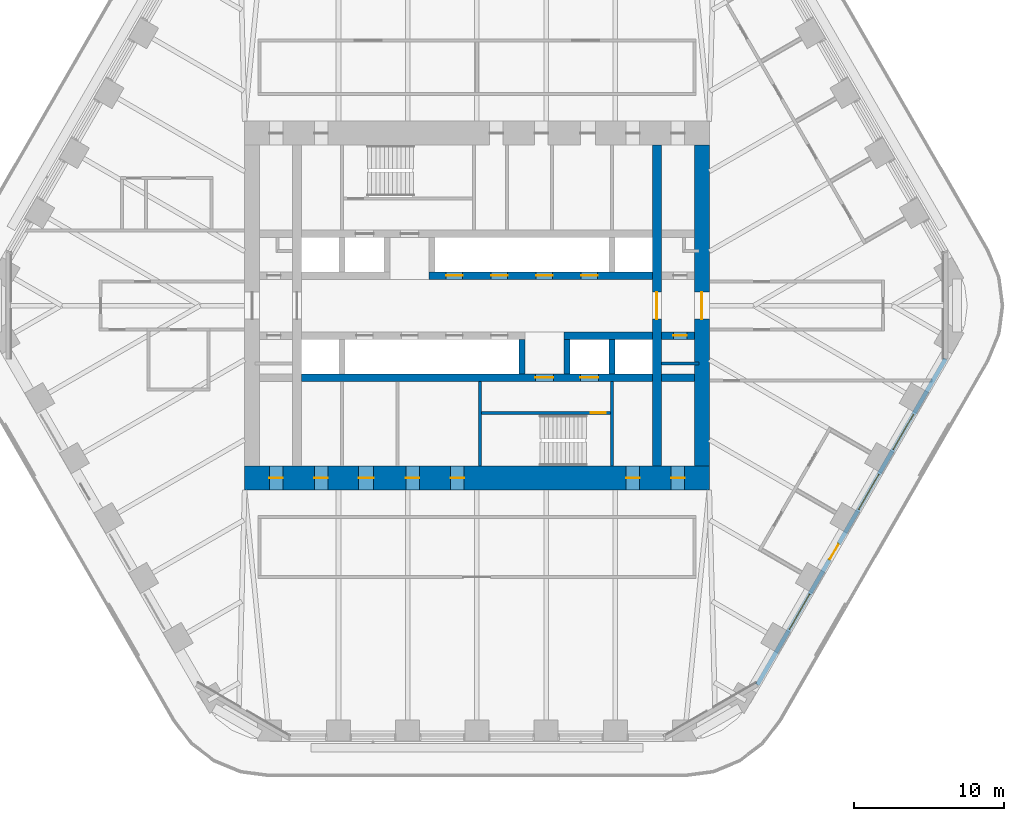
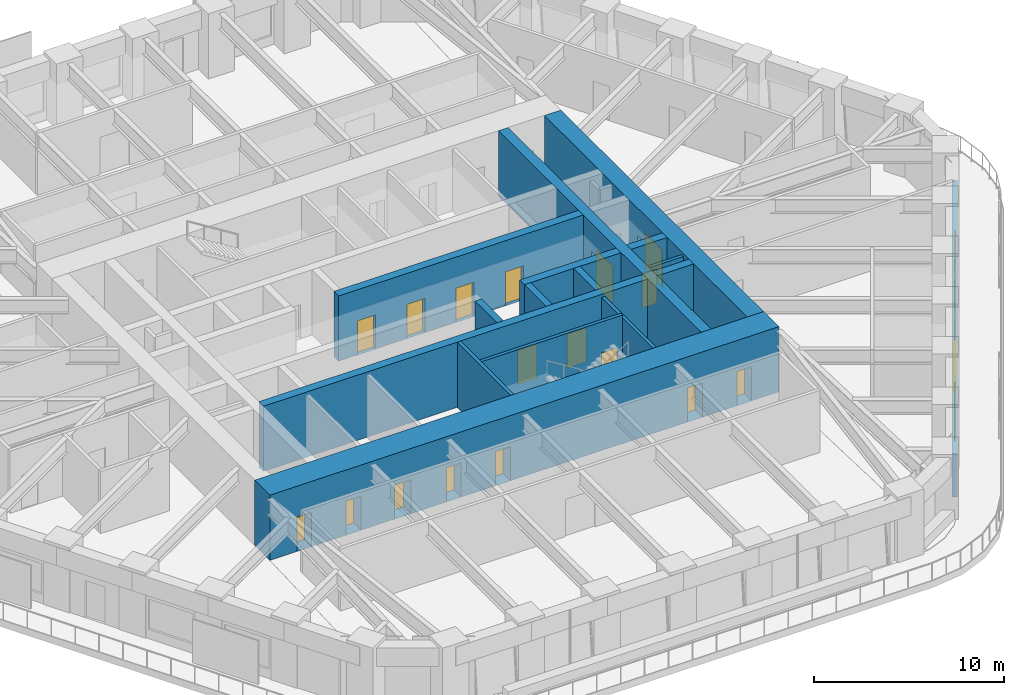
# One storey, part 15 of 20: 18 doors, 16 walls, 3 windows, 21 openings.
"""IFC4 building model written with IfcOpenShell, lengths in metres."""

from ifc_helpers import new_model, si_unit, direction, frame, frame_2d, origin, place, context, subcontext, project, spatial, rectangle, extrude, material, layer, layer_set, type_object, element, fill, save


model = new_model("IFC4")

# Units and contexts
model_context = context("Model", 3, precision=1e-05, world=origin(), true_north=direction((0.0, 1.0)))
body_context = subcontext(model_context, "Body", "Model", "MODEL_VIEW")
ifc_project = project(units=[si_unit("LENGTHUNIT", "METRE"), si_unit("AREAUNIT", "SQUARE_METRE"), si_unit("VOLUMEUNIT", "CUBIC_METRE"), si_unit("PLANEANGLEUNIT", "RADIAN"), si_unit("MASSUNIT", "GRAM", prefix="KILO")], contexts=[model_context])

# Site, building, storey
site_placement = place(None, origin())
site = spatial("IfcSite", under=ifc_project, at=site_placement, CompositionType="ELEMENT")
building_placement = place(site_placement, origin())
building = spatial("IfcBuilding", under=site, at=building_placement, Name="Tarfa Lantern Tower", CompositionType="ELEMENT")
storey_placement = place(building_placement, frame((0.0, 0.0, 232.300048828125)))
storey = spatial("IfcBuildingStorey", under=building, at=storey_placement, Name="L52", CompositionType="ELEMENT", Elevation=232.300048828125)

# Wall, openings, door, windows
ifc_material_1 = material(Name="Limestone cladding on blockwork", Category="masonry")
ifc_layer_1 = layer(ifc_material_1, 0.300048828125)
ifc_layer_set_1 = layer_set([ifc_layer_1], Name="EW1 STONE-CLAD WALL 300")
wall_type_1 = type_object("IfcWallType", Name="EW1 STONE-CLAD WALL 300", PredefinedType="SOLIDWALL", material=ifc_layer_set_1)
wall_1_placement = place(storey_placement, frame((18.70654296875, -25.299072265625, 0.0), z_axis=(0.0, 0.0, 1.0), x_axis=(0.500000442367, 0.866025148383, 0.0)))
wall_1 = element("IfcWall", 1, at=wall_1_placement, inside=storey, type_object=wall_type_1, Name="Stone wall SE", PredefinedType="SOLIDWALL", context=body_context, shape_type="SweptSolid", body=[
    extrude(rectangle(XDim=25.11279296875, YDim=0.300048828125, at=frame_2d((12.556396484375, 0.0))), origin(), (0.0, 0.0, 1.0), 2.800048828125),
])
opening_1_placement = place(wall_1_placement, frame((4.2783203125, 0.0, 0.60009765625)))
opening_1 = element("IfcOpeningElement", 2, at=opening_1_placement, cuts=wall_1, Name="Opening W14", PredefinedType="OPENING", context=body_context, shape_type="SweptSolid", body=[
    extrude(rectangle(XDim=2.699951171875, YDim=1.949951171875, at=frame_2d((1.35009765625, 0.97509765625))), frame((0.0, 0.159912109375, 0.0), z_axis=(0.0, -1.0, 0.0), x_axis=(1.0, 0.0, 0.0)), (0.0, 0.0, 1.0), 0.320068359375),
])
opening_2_placement = place(wall_1_placement, frame((9.64697265625, 0.0, 0.0)))
opening_2 = element("IfcOpeningElement", 3, at=opening_2_placement, cuts=wall_1, Name="Opening D48", PredefinedType="OPENING", context=body_context, shape_type="SweptSolid", body=[
    extrude(rectangle(XDim=1.199951171875, YDim=2.39990234375, at=frame_2d((0.60009765625, 1.199951171875))), frame((0.0, 0.159912109375, 0.0), z_axis=(0.0, -1.0, 0.0), x_axis=(1.0, 0.0, 0.0)), (0.0, 0.0, 1.0), 0.320068359375),
])
opening_3_placement = place(wall_1_placement, frame((13.515869140625, 0.0, 0.60009765625)))
opening_3 = element("IfcOpeningElement", 4, at=opening_3_placement, cuts=wall_1, Name="Opening W14", PredefinedType="OPENING", context=body_context, shape_type="SweptSolid", body=[
    extrude(rectangle(XDim=2.699951171875, YDim=1.949951171875, at=frame_2d((1.35009765625, 0.97509765625))), frame((0.0, 0.159912109375, 0.0), z_axis=(0.0, -1.0, 0.0), x_axis=(1.0, 0.0, 0.0)), (0.0, 0.0, 1.0), 0.320068359375),
])
opening_4_placement = place(wall_1_placement, frame((18.134521484375, 0.0, 0.60009765625)))
opening_4 = element("IfcOpeningElement", 5, at=opening_4_placement, cuts=wall_1, Name="Opening W14", PredefinedType="OPENING", context=body_context, shape_type="SweptSolid", body=[
    extrude(rectangle(XDim=2.699951171875, YDim=1.949951171875, at=frame_2d((1.35009765625, 0.97509765625))), frame((0.0, 0.159912109375, 0.0), z_axis=(0.0, -1.0, 0.0), x_axis=(1.0, 0.0, 0.0)), (0.0, 0.0, 1.0), 0.320068359375),
])
ifc_material_2 = material(Name="Aluminium framed glazed door", Category="aluminium")
door_type_1 = type_object("IfcDoorType", Name="BE3 BALCONY DOOR 1200x2400", OperationType="SINGLE_SWING_RIGHT", PredefinedType="DOOR", material=ifc_material_2)
door_1_placement = place(opening_2_placement, origin())
door_1 = element("IfcDoor", 6, at=door_1_placement, inside=storey, type_object=door_type_1, Name="Balcony door SE", OperationType="SINGLE_SWING_RIGHT", OverallHeight=2.39990234375, OverallWidth=1.199951171875, PredefinedType="DOOR", context=body_context, shape_type="SweptSolid", body=[
    extrude(rectangle(XDim=1.199951171875, YDim=2.39990234375, at=frame_2d((0.60009765625, 1.199951171875))), frame((0.0, 0.02490234375, 0.0), z_axis=(0.0, -1.0, 0.0), x_axis=(1.0, 0.0, 0.0)), (0.0, 0.0, 1.0), 0.050048828125),
])
fill(opening_2, door_1)
ifc_material_3 = material(Name="Aluminium frame, double glazed", Category="aluminium")
window_type = type_object("IfcWindowType", Name="W14 FULL-HEIGHT GLAZING 2700x1950", PartitioningType="SINGLE_PANEL", PredefinedType="WINDOW", material=ifc_material_3)
window_1_placement = place(opening_1_placement, origin())
window_1 = element("IfcWindow", 7, at=window_1_placement, inside=storey, type_object=window_type, Name="Window SE 2", OverallHeight=1.949951171875, OverallWidth=2.699951171875, PartitioningType="SINGLE_PANEL", PredefinedType="WINDOW", context=body_context, shape_type="SweptSolid", body=[
    extrude(rectangle(XDim=2.699951171875, YDim=1.949951171875, at=frame_2d((1.35009765625, 0.97509765625))), frame((0.0, 0.030029296875, 0.0), z_axis=(0.0, -1.0, 0.0), x_axis=(1.0, 0.0, 0.0)), (0.0, 0.0, 1.0), 0.06005859375),
])
fill(opening_1, window_1)
window_2_placement = place(opening_3_placement, origin())
window_2 = element("IfcWindow", 8, at=window_2_placement, inside=storey, type_object=window_type, Name="Window SE 4", OverallHeight=1.949951171875, OverallWidth=2.699951171875, PartitioningType="SINGLE_PANEL", PredefinedType="WINDOW", context=body_context, shape_type="SweptSolid", body=[
    extrude(rectangle(XDim=2.699951171875, YDim=1.949951171875, at=frame_2d((1.35009765625, 0.97509765625))), frame((0.0, 0.030029296875, 0.0), z_axis=(0.0, -1.0, 0.0), x_axis=(1.0, 0.0, 0.0)), (0.0, 0.0, 1.0), 0.06005859375),
])
fill(opening_3, window_2)
window_3_placement = place(opening_4_placement, origin())
window_3 = element("IfcWindow", 9, at=window_3_placement, inside=storey, type_object=window_type, Name="Window SE 5", OverallHeight=1.949951171875, OverallWidth=2.699951171875, PartitioningType="SINGLE_PANEL", PredefinedType="WINDOW", context=body_context, shape_type="SweptSolid", body=[
    extrude(rectangle(XDim=2.699951171875, YDim=1.949951171875, at=frame_2d((1.35009765625, 0.97509765625))), frame((0.0, 0.030029296875, 0.0), z_axis=(0.0, -1.0, 0.0), x_axis=(1.0, 0.0, 0.0)), (0.0, 0.0, 1.0), 0.06005859375),
])
fill(opening_4, window_3)

# Walls
ifc_material_4 = material(Name="Concrete blockwork", Category="masonry")
ifc_layer_2 = layer(ifc_material_4, 0.199951171875)
ifc_layer_set_2 = layer_set([ifc_layer_2], Name="IW1 BLOCKWORK PARTITION 200 EI 120")
wall_type_2 = type_object("IfcWallType", Name="IW1 BLOCKWORK PARTITION 200 EI 120", PredefinedType="PARTITIONING", material=ifc_layer_set_2)
wall_2_placement = place(storey_placement, frame((9.0, -5.050048828125, 0.0), z_axis=(0.0, 0.0, 1.0), x_axis=(0.0, -1.0, 0.0)))
element("IfcWall", 10, at=wall_2_placement, inside=storey, type_object=wall_type_2, Name="Core partition", PredefinedType="PARTITIONING", context=body_context, shape_type="SweptSolid", body=[
    extrude(rectangle(XDim=5.64990234375, YDim=0.199951171875, at=frame_2d((2.824951171875, 0.0))), origin(), (0.0, 0.0, 1.0), 4.0),
])
wall_3_placement = place(storey_placement, frame((14.800048828125, -3.85009765625, 0.0), z_axis=(0.0, 0.0, 1.0), x_axis=(-1.0, 0.0, 0.0)))
element("IfcWall", 11, at=wall_3_placement, inside=storey, type_object=wall_type_2, Name="Core partition", PredefinedType="PARTITIONING", context=body_context, shape_type="SweptSolid", body=[
    extrude(rectangle(XDim=2.5, YDim=0.199951171875, at=frame_2d((1.25, 0.0))), origin(), (0.0, 0.0, 1.0), 4.0),
])
ifc_material_5 = material(Name="Concrete C80/95", Category="concrete")
ifc_layer_3 = layer(ifc_material_5, 0.199951171875)
ifc_layer_set_3 = layer_set([ifc_layer_3], Name="SW12 CORE WALL 200")
wall_type_3 = type_object("IfcWallType", Name="SW12 CORE WALL 200", PredefinedType="SHEAR", material=ifc_layer_set_3)
wall_4_placement = place(storey_placement, frame((0.199951171875, -5.050048828125, 0.0), z_axis=(0.0, 0.0, 1.0), x_axis=(0.0, -1.0, 0.0)))
element("IfcWall", 12, at=wall_4_placement, inside=storey, type_object=wall_type_3, Name="Core wall stair shaft S", PredefinedType="SHEAR", context=body_context, shape_type="SweptSolid", body=[
    extrude(rectangle(XDim=5.64990234375, YDim=0.199951171875, at=frame_2d((2.824951171875, 0.0))), origin(), (0.0, 0.0, 1.0), 4.199951171875),
])

# Wall, opening, door
wall_5_placement = place(storey_placement, frame((8.89990234375, -7.14990234375, 0.0), z_axis=(0.0, 0.0, 1.0), x_axis=(-1.0, 0.0, 0.0)))
wall_5 = element("IfcWall", 13, at=wall_5_placement, inside=storey, type_object=wall_type_3, Name="Core wall stair partition S", PredefinedType="SHEAR", context=body_context, shape_type="SweptSolid", body=[
    extrude(rectangle(XDim=8.599853515625, YDim=0.199951171875, at=frame_2d((4.2998046875, 0.0))), origin(), (0.0, 0.0, 1.0), 4.199951171875),
])
opening_5_placement = place(wall_5_placement, frame((0.300048828125, 0.0, 0.0)))
opening_5 = element("IfcOpeningElement", 14, at=opening_5_placement, cuts=wall_5, Name="Opening D24", PredefinedType="OPENING", context=body_context, shape_type="SweptSolid", body=[
    extrude(rectangle(XDim=1.0, YDim=2.199951171875, at=frame_2d((0.5, 1.10009765625))), frame((0.0, 0.10986328125, 0.0), z_axis=(0.0, -1.0, 0.0), x_axis=(1.0, 0.0, 0.0)), (0.0, 0.0, 1.0), 0.219970703125),
])
ifc_material_6 = material(Name="Steel fire door", Category="steel")
door_type_2 = type_object("IfcDoorType", Name="DF2 STAIR DOOR 1000x2200", OperationType="SINGLE_SWING_LEFT", PredefinedType="DOOR", material=ifc_material_6)
door_2_placement = place(opening_5_placement, origin())
door_2 = element("IfcDoor", 15, at=door_2_placement, inside=storey, type_object=door_type_2, Name="Stair door", OperationType="SINGLE_SWING_RIGHT", OverallHeight=2.199951171875, OverallWidth=1.0, PredefinedType="DOOR", context=body_context, shape_type="SweptSolid", body=[
    extrude(rectangle(XDim=1.0, YDim=2.199951171875, at=frame_2d((0.5, 1.10009765625))), frame((0.0, 0.02490234375, 0.0), z_axis=(0.0, -1.0, 0.0), x_axis=(1.0, 0.0, 0.0)), (0.0, 0.0, 1.0), 0.050048828125),
])
fill(opening_5, door_2)

ifc_layer_4 = layer(ifc_material_5, 1.0)
ifc_layer_set_4 = layer_set([ifc_layer_4], Name="SW2 CORE WALL 1000")
wall_type_4 = type_object("IfcWallType", Name="SW2 CORE WALL 1000", PredefinedType="SHEAR", material=ifc_layer_set_4)
wall_6_placement = place(storey_placement, frame((15.0, -10.699951171875, 0.0), z_axis=(0.0, 0.0, 1.0), x_axis=(0.0, 1.0, 0.0)))
wall_6 = element("IfcWall", 16, at=wall_6_placement, inside=storey, type_object=wall_type_4, Name="Core wall E", PredefinedType="SHEAR", context=body_context, shape_type="SweptSolid", body=[
    extrude(rectangle(XDim=21.39990234375, YDim=1.0, at=frame_2d((10.699951171875, 0.0))), origin(), (0.0, 0.0, 1.0), 4.199951171875),
])
opening_6_placement = place(wall_6_placement, frame((9.800048828125, 0.0, 0.0)))
opening_6 = element("IfcOpeningElement", 17, at=opening_6_placement, cuts=wall_6, Name="Opening D11", PredefinedType="OPENING", context=body_context, shape_type="SweptSolid", body=[
    extrude(rectangle(XDim=1.800048828125, YDim=2.39990234375, at=frame_2d((0.89990234375, 1.199951171875))), frame((0.0, 0.510009765625, 0.0), z_axis=(0.0, -1.0, 0.0), x_axis=(1.0, 0.0, 0.0)), (0.0, 0.0, 1.0), 1.02001953125),
])
door_type_3 = type_object("IfcDoorType", Name="DL1 LOBBY DOOR 1800x2400", OperationType="DOUBLE_DOOR_SINGLE_SWING", PredefinedType="DOOR", material=ifc_material_6)
door_3_placement = place(opening_6_placement, frame((1.800048828125, 0.0, 0.0), z_axis=(0.0, 0.0, 1.0), x_axis=(-1.0, 0.0, 0.0)))
door_3 = element("IfcDoor", 18, at=door_3_placement, inside=storey, type_object=door_type_3, Name="Lift lobby door", OperationType="DOUBLE_DOOR_SINGLE_SWING", OverallHeight=2.39990234375, OverallWidth=1.800048828125, PredefinedType="DOOR", context=body_context, shape_type="SweptSolid", body=[
    extrude(rectangle(XDim=1.800048828125, YDim=2.39990234375, at=frame_2d((0.89990234375, 1.199951171875))), frame((0.0, 0.02490234375, 0.0), z_axis=(0.0, -1.0, 0.0), x_axis=(1.0, 0.0, 0.0)), (0.0, 0.0, 1.0), 0.050048828125),
])
fill(opening_6, door_3)

# Wall, openings, doors
ifc_layer_5 = layer(ifc_material_5, 0.5)
ifc_layer_set_5 = layer_set([ifc_layer_5], Name="SW5 CORE WALL 500")
wall_type_5 = type_object("IfcWallType", Name="SW5 CORE WALL 500", PredefinedType="SHEAR", material=ifc_layer_set_5)
wall_7_placement = place(storey_placement, frame((-3.199951171875, 2.0, 0.0), z_axis=(0.0, 0.0, 1.0), x_axis=(1.0, 0.0, 0.0)))
wall_7 = element("IfcWall", 19, at=wall_7_placement, inside=storey, type_object=wall_type_5, Name="Core wall lobby east N", PredefinedType="SHEAR", context=body_context, shape_type="SweptSolid", body=[
    extrude(rectangle(XDim=14.89990234375, YDim=0.5, at=frame_2d((7.449951171875, 0.0))), origin(), (0.0, 0.0, 1.0), 4.199951171875),
])
opening_7_placement = place(wall_7_placement, frame((1.14990234375, 0.0, 0.0)))
opening_7 = element("IfcOpeningElement", 20, at=opening_7_placement, cuts=wall_7, Name="Opening LD03", PredefinedType="OPENING", context=body_context, shape_type="SweptSolid", body=[
    extrude(rectangle(XDim=1.10009765625, YDim=2.199951171875, at=frame_2d((0.550048828125, 1.10009765625))), frame((0.0, 0.260009765625, 0.0), z_axis=(0.0, -1.0, 0.0), x_axis=(1.0, 0.0, 0.0)), (0.0, 0.0, 1.0), 0.52001953125),
])
opening_8_placement = place(wall_7_placement, frame((4.14990234375, 0.0, 0.0)))
opening_8 = element("IfcOpeningElement", 21, at=opening_8_placement, cuts=wall_7, Name="Opening LD04", PredefinedType="OPENING", context=body_context, shape_type="SweptSolid", body=[
    extrude(rectangle(XDim=1.10009765625, YDim=2.199951171875, at=frame_2d((0.550048828125, 1.10009765625))), frame((0.0, 0.260009765625, 0.0), z_axis=(0.0, -1.0, 0.0), x_axis=(1.0, 0.0, 0.0)), (0.0, 0.0, 1.0), 0.52001953125),
])
opening_9_placement = place(wall_7_placement, frame((7.14990234375, 0.0, 0.0)))
opening_9 = element("IfcOpeningElement", 22, at=opening_9_placement, cuts=wall_7, Name="Opening LD05", PredefinedType="OPENING", context=body_context, shape_type="SweptSolid", body=[
    extrude(rectangle(XDim=1.10009765625, YDim=2.199951171875, at=frame_2d((0.550048828125, 1.10009765625))), frame((0.0, 0.260009765625, 0.0), z_axis=(0.0, -1.0, 0.0), x_axis=(1.0, 0.0, 0.0)), (0.0, 0.0, 1.0), 0.52001953125),
])
opening_10_placement = place(wall_7_placement, frame((10.14990234375, 0.0, 0.0)))
opening_10 = element("IfcOpeningElement", 23, at=opening_10_placement, cuts=wall_7, Name="Opening LD06", PredefinedType="OPENING", context=body_context, shape_type="SweptSolid", body=[
    extrude(rectangle(XDim=1.10009765625, YDim=2.199951171875, at=frame_2d((0.550048828125, 1.10009765625))), frame((0.0, 0.260009765625, 0.0), z_axis=(0.0, -1.0, 0.0), x_axis=(1.0, 0.0, 0.0)), (0.0, 0.0, 1.0), 0.52001953125),
])
ifc_material_7 = material(Name="Stainless steel lift door", Category="steel")
door_type_4 = type_object("IfcDoorType", Name="LD2 LIFT LANDING DOOR 1100x2200", OperationType="SLIDING_TO_LEFT", PredefinedType="DOOR", material=ifc_material_7)
door_4_placement = place(opening_7_placement, frame((1.10009765625, 0.0, 0.0), z_axis=(0.0, 0.0, 1.0), x_axis=(-1.0, 0.0, 0.0)))
door_4 = element("IfcDoor", 24, at=door_4_placement, inside=storey, type_object=door_type_4, Name="Landing door PC1", OperationType="SLIDING_TO_LEFT", OverallHeight=2.199951171875, OverallWidth=1.10009765625, PredefinedType="DOOR", context=body_context, shape_type="SweptSolid", body=[
    extrude(rectangle(XDim=1.10009765625, YDim=2.199951171875, at=frame_2d((0.550048828125, 1.10009765625))), frame((0.0, 0.02490234375, 0.0), z_axis=(0.0, -1.0, 0.0), x_axis=(1.0, 0.0, 0.0)), (0.0, 0.0, 1.0), 0.050048828125),
])
fill(opening_7, door_4)
door_5_placement = place(opening_8_placement, frame((1.10009765625, 0.0, 0.0), z_axis=(0.0, 0.0, 1.0), x_axis=(-1.0, 0.0, 0.0)))
door_5 = element("IfcDoor", 25, at=door_5_placement, inside=storey, type_object=door_type_4, Name="Landing door PC2", OperationType="SLIDING_TO_LEFT", OverallHeight=2.199951171875, OverallWidth=1.10009765625, PredefinedType="DOOR", context=body_context, shape_type="SweptSolid", body=[
    extrude(rectangle(XDim=1.10009765625, YDim=2.199951171875, at=frame_2d((0.550048828125, 1.10009765625))), frame((0.0, 0.02490234375, 0.0), z_axis=(0.0, -1.0, 0.0), x_axis=(1.0, 0.0, 0.0)), (0.0, 0.0, 1.0), 0.050048828125),
])
fill(opening_8, door_5)
door_6_placement = place(opening_9_placement, frame((1.10009765625, 0.0, 0.0), z_axis=(0.0, 0.0, 1.0), x_axis=(-1.0, 0.0, 0.0)))
door_6 = element("IfcDoor", 26, at=door_6_placement, inside=storey, type_object=door_type_4, Name="Landing door PC3", OperationType="SLIDING_TO_LEFT", OverallHeight=2.199951171875, OverallWidth=1.10009765625, PredefinedType="DOOR", context=body_context, shape_type="SweptSolid", body=[
    extrude(rectangle(XDim=1.10009765625, YDim=2.199951171875, at=frame_2d((0.550048828125, 1.10009765625))), frame((0.0, 0.02490234375, 0.0), z_axis=(0.0, -1.0, 0.0), x_axis=(1.0, 0.0, 0.0)), (0.0, 0.0, 1.0), 0.050048828125),
])
fill(opening_9, door_6)
door_7_placement = place(opening_10_placement, frame((1.10009765625, 0.0, 0.0), z_axis=(0.0, 0.0, 1.0), x_axis=(-1.0, 0.0, 0.0)))
door_7 = element("IfcDoor", 27, at=door_7_placement, inside=storey, type_object=door_type_4, Name="Landing door PC4", OperationType="SLIDING_TO_LEFT", OverallHeight=2.199951171875, OverallWidth=1.10009765625, PredefinedType="DOOR", context=body_context, shape_type="SweptSolid", body=[
    extrude(rectangle(XDim=1.10009765625, YDim=2.199951171875, at=frame_2d((0.550048828125, 1.10009765625))), frame((0.0, 0.02490234375, 0.0), z_axis=(0.0, -1.0, 0.0), x_axis=(1.0, 0.0, 0.0)), (0.0, 0.0, 1.0), 0.050048828125),
])
fill(opening_10, door_7)

# Wall, opening, door
wall_8_placement = place(storey_placement, frame((14.5, -2.0, 0.0), z_axis=(0.0, 0.0, 1.0), x_axis=(-1.0, 0.0, 0.0)))
wall_8 = element("IfcWall", 28, at=wall_8_placement, inside=storey, type_object=wall_type_5, Name="Core wall lobby west S", PredefinedType="SHEAR", context=body_context, shape_type="SweptSolid", body=[
    extrude(rectangle(XDim=2.199951171875, YDim=0.5, at=frame_2d((1.10009765625, 0.0))), origin(), (0.0, 0.0, 1.0), 4.199951171875),
])
opening_11_placement = place(wall_8_placement, frame((0.5, 0.0, 0.0)))
opening_11 = element("IfcOpeningElement", 29, at=opening_11_placement, cuts=wall_8, Name="Opening D16", PredefinedType="OPENING", context=body_context, shape_type="SweptSolid", body=[
    extrude(rectangle(XDim=0.89990234375, YDim=2.199951171875, at=frame_2d((0.449951171875, 1.10009765625))), frame((0.0, 0.260009765625, 0.0), z_axis=(0.0, -1.0, 0.0), x_axis=(1.0, 0.0, 0.0)), (0.0, 0.0, 1.0), 0.52001953125),
])
door_type_5 = type_object("IfcDoorType", Name="DF6 SERVICE ROOM DOOR 900x2200", OperationType="SINGLE_SWING_LEFT", PredefinedType="DOOR", material=ifc_material_6)
door_8_placement = place(opening_11_placement, origin())
door_8 = element("IfcDoor", 30, at=door_8_placement, inside=storey, type_object=door_type_5, Name="Service room door", OperationType="SINGLE_SWING_RIGHT", OverallHeight=2.199951171875, OverallWidth=0.89990234375, PredefinedType="DOOR", context=body_context, shape_type="SweptSolid", body=[
    extrude(rectangle(XDim=0.89990234375, YDim=2.199951171875, at=frame_2d((0.449951171875, 1.10009765625))), frame((0.0, 0.02490234375, 0.0), z_axis=(0.0, -1.0, 0.0), x_axis=(1.0, 0.0, 0.0)), (0.0, 0.0, 1.0), 0.050048828125),
])
fill(opening_11, door_8)

# Walls
wall_9_placement = place(storey_placement, frame((11.699951171875, -2.0, 0.0), z_axis=(0.0, 0.0, 1.0), x_axis=(-1.0, 0.0, 0.0)))
element("IfcWall", 31, at=wall_9_placement, inside=storey, type_object=wall_type_5, Name="Core wall lobby west S", PredefinedType="SHEAR", context=body_context, shape_type="SweptSolid", body=[
    extrude(rectangle(XDim=5.89990234375, YDim=0.5, at=frame_2d((2.949951171875, 0.0))), origin(), (0.0, 0.0, 1.0), 4.199951171875),
])
wall_10_placement = place(storey_placement, frame((14.5, -4.800048828125, 0.0), z_axis=(0.0, 0.0, 1.0), x_axis=(-1.0, 0.0, 0.0)))
element("IfcWall", 32, at=wall_10_placement, inside=storey, type_object=wall_type_5, Name="Core wall rear S", PredefinedType="SHEAR", context=body_context, shape_type="SweptSolid", body=[
    extrude(rectangle(XDim=2.199951171875, YDim=0.5, at=frame_2d((1.10009765625, 0.0))), origin(), (0.0, 0.0, 1.0), 4.199951171875),
])

# Wall, openings, doors
wall_11_placement = place(storey_placement, frame((11.699951171875, -4.800048828125, 0.0), z_axis=(0.0, 0.0, 1.0), x_axis=(-1.0, 0.0, 0.0)))
wall_11 = element("IfcWall", 33, at=wall_11_placement, inside=storey, type_object=wall_type_5, Name="Core wall rear S", PredefinedType="SHEAR", context=body_context, shape_type="SweptSolid", body=[
    extrude(rectangle(XDim=23.39990234375, YDim=0.5, at=frame_2d((11.699951171875, 0.0))), origin(), (0.0, 0.0, 1.0), 4.199951171875),
])
opening_12_placement = place(wall_11_placement, frame((6.60009765625, 0.0, 0.0)))
opening_12 = element("IfcOpeningElement", 34, at=opening_12_placement, cuts=wall_11, Name="Opening D10", PredefinedType="OPENING", context=body_context, shape_type="SweptSolid", body=[
    extrude(rectangle(XDim=1.199951171875, YDim=2.199951171875, at=frame_2d((0.60009765625, 1.10009765625))), frame((0.0, 0.260009765625, 0.0), z_axis=(0.0, -1.0, 0.0), x_axis=(1.0, 0.0, 0.0)), (0.0, 0.0, 1.0), 0.52001953125),
])
opening_13_placement = place(wall_11_placement, frame((3.60009765625, 0.0, 0.0)))
opening_13 = element("IfcOpeningElement", 35, at=opening_13_placement, cuts=wall_11, Name="Opening LD02", PredefinedType="OPENING", context=body_context, shape_type="SweptSolid", body=[
    extrude(rectangle(XDim=1.199951171875, YDim=2.199951171875, at=frame_2d((0.60009765625, 1.10009765625))), frame((0.0, 0.260009765625, 0.0), z_axis=(0.0, -1.0, 0.0), x_axis=(1.0, 0.0, 0.0)), (0.0, 0.0, 1.0), 0.52001953125),
])
door_type_6 = type_object("IfcDoorType", Name="DF1 FIREFIGHTING LOBBY DOOR 1200x2200", OperationType="SINGLE_SWING_LEFT", PredefinedType="DOOR", material=ifc_material_6)
door_9_placement = place(opening_12_placement, origin())
door_9 = element("IfcDoor", 36, at=door_9_placement, inside=storey, type_object=door_type_6, Name="Firefighting lobby door", OperationType="SINGLE_SWING_LEFT", OverallHeight=2.199951171875, OverallWidth=1.199951171875, PredefinedType="DOOR", context=body_context, shape_type="SweptSolid", body=[
    extrude(rectangle(XDim=1.199951171875, YDim=2.199951171875, at=frame_2d((0.60009765625, 1.10009765625))), frame((0.0, 0.02490234375, 0.0), z_axis=(0.0, -1.0, 0.0), x_axis=(1.0, 0.0, 0.0)), (0.0, 0.0, 1.0), 0.050048828125),
])
fill(opening_12, door_9)
door_type_7 = type_object("IfcDoorType", Name="LD1 LIFT LANDING DOOR 1200x2200", OperationType="SLIDING_TO_LEFT", PredefinedType="DOOR", material=ifc_material_7)
door_10_placement = place(opening_13_placement, origin())
door_10 = element("IfcDoor", 37, at=door_10_placement, inside=storey, type_object=door_type_7, Name="Landing door FL2", OperationType="SLIDING_TO_LEFT", OverallHeight=2.199951171875, OverallWidth=1.199951171875, PredefinedType="DOOR", context=body_context, shape_type="SweptSolid", body=[
    extrude(rectangle(XDim=1.199951171875, YDim=2.199951171875, at=frame_2d((0.60009765625, 1.10009765625))), frame((0.0, 0.02490234375, 0.0), z_axis=(0.0, -1.0, 0.0), x_axis=(1.0, 0.0, 0.0)), (0.0, 0.0, 1.0), 0.050048828125),
])
fill(opening_13, door_10)

# Walls
ifc_layer_6 = layer(ifc_material_5, 0.39990234375)
ifc_layer_set_6 = layer_set([ifc_layer_6], Name="SW6 CORE WALL 400")
wall_type_6 = type_object("IfcWallType", Name="SW6 CORE WALL 400", PredefinedType="SHEAR", material=ifc_layer_set_6)
for number, where, z_axis, x_axis, name in (
    (38, (9.0, -2.25, 0.0), (0.0, 0.0, 1.0), (0.0, -1.0, 0.0), "Core wall divider S"),
    (39, (6.0, -2.25, 0.0), (0.0, 0.0, 1.0), (0.0, -1.0, 0.0), "Core wall divider S"),
    (40, (3.0, -2.25, 0.0), (0.0, 0.0, 1.0), (0.0, -1.0, 0.0), "Core wall divider S"),
):
    element("IfcWall", number, at=place(storey_placement, frame(where, z_axis=z_axis, x_axis=x_axis)), inside=storey, type_object=wall_type_6, Name=name, PredefinedType="SHEAR", context=body_context, shape_type="SweptSolid", body=[
        extrude(rectangle(XDim=2.300048828125, YDim=0.39990234375, at=frame_2d((1.14990234375, 0.0))), origin(), (0.0, 0.0, 1.0), 4.199951171875),
    ])

# Wall, openings, doors
ifc_layer_7 = layer(ifc_material_5, 1.60009765625)
ifc_layer_set_7 = layer_set([ifc_layer_7], Name="SW7 CORE WALL 1600")
wall_type_7 = type_object("IfcWallType", Name="SW7 CORE WALL 1600", PredefinedType="SHEAR", material=ifc_layer_set_7)
wall_12_placement = place(storey_placement, frame((15.5, -11.5, 0.0), z_axis=(0.0, 0.0, 1.0), x_axis=(-1.0, 0.0, 0.0)))
wall_12 = element("IfcWall", 41, at=wall_12_placement, inside=storey, type_object=wall_type_7, Name="Core wall S", PredefinedType="SHEAR", context=body_context, shape_type="SweptSolid", body=[
    extrude(rectangle(XDim=31.0, YDim=1.60009765625, at=frame_2d((15.5, 0.0))), origin(), (0.0, 0.0, 1.0), 4.199951171875),
])
opening_14_placement = place(wall_12_placement, frame((16.35009765625, 0.0, 0.0)))
opening_14 = element("IfcOpeningElement", 42, at=opening_14_placement, cuts=wall_12, Name="Opening D18", PredefinedType="OPENING", context=body_context, shape_type="SweptSolid", body=[
    extrude(rectangle(XDim=0.89990234375, YDim=2.199951171875, at=frame_2d((0.449951171875, 1.10009765625))), frame((0.0, 0.81005859375, 0.0), z_axis=(0.0, -1.0, 0.0), x_axis=(1.0, 0.0, 0.0)), (0.0, 0.0, 1.0), 1.6201171875),
])
opening_15_placement = place(wall_12_placement, frame((19.35009765625, 0.0, 0.0)))
opening_15 = element("IfcOpeningElement", 43, at=opening_15_placement, cuts=wall_12, Name="Opening D20", PredefinedType="OPENING", context=body_context, shape_type="SweptSolid", body=[
    extrude(rectangle(XDim=0.89990234375, YDim=2.199951171875, at=frame_2d((0.449951171875, 1.10009765625))), frame((0.0, 0.81005859375, 0.0), z_axis=(0.0, -1.0, 0.0), x_axis=(1.0, 0.0, 0.0)), (0.0, 0.0, 1.0), 1.6201171875),
])
opening_16_placement = place(wall_12_placement, frame((22.39990234375, 0.0, 0.0)))
opening_16 = element("IfcOpeningElement", 44, at=opening_16_placement, cuts=wall_12, Name="Opening D22", PredefinedType="OPENING", context=body_context, shape_type="SweptSolid", body=[
    extrude(rectangle(XDim=1.0, YDim=2.199951171875, at=frame_2d((0.5, 1.10009765625))), frame((0.0, 0.81005859375, 0.0), z_axis=(0.0, -1.0, 0.0), x_axis=(1.0, 0.0, 0.0)), (0.0, 0.0, 1.0), 1.6201171875),
])
opening_17_placement = place(wall_12_placement, frame((1.64990234375, 0.0, 0.0)))
opening_17 = element("IfcOpeningElement", 45, at=opening_17_placement, cuts=wall_12, Name="Opening D08", PredefinedType="OPENING", context=body_context, shape_type="SweptSolid", body=[
    extrude(rectangle(XDim=0.89990234375, YDim=2.199951171875, at=frame_2d((0.449951171875, 1.10009765625))), frame((0.0, 0.81005859375, 0.0), z_axis=(0.0, -1.0, 0.0), x_axis=(1.0, 0.0, 0.0)), (0.0, 0.0, 1.0), 1.6201171875),
])
opening_18_placement = place(wall_12_placement, frame((4.64990234375, 0.0, 0.0)))
opening_18 = element("IfcOpeningElement", 46, at=opening_18_placement, cuts=wall_12, Name="Opening D06", PredefinedType="OPENING", context=body_context, shape_type="SweptSolid", body=[
    extrude(rectangle(XDim=0.89990234375, YDim=2.199951171875, at=frame_2d((0.449951171875, 1.10009765625))), frame((0.0, 0.81005859375, 0.0), z_axis=(0.0, -1.0, 0.0), x_axis=(1.0, 0.0, 0.0)), (0.0, 0.0, 1.0), 1.6201171875),
])
opening_19_placement = place(wall_12_placement, frame((25.449951171875, 0.0, 0.0)))
opening_19 = element("IfcOpeningElement", 47, at=opening_19_placement, cuts=wall_12, Name="Opening D04", PredefinedType="OPENING", context=body_context, shape_type="SweptSolid", body=[
    extrude(rectangle(XDim=0.89990234375, YDim=2.199951171875, at=frame_2d((0.449951171875, 1.10009765625))), frame((0.0, 0.81005859375, 0.0), z_axis=(0.0, -1.0, 0.0), x_axis=(1.0, 0.0, 0.0)), (0.0, 0.0, 1.0), 1.6201171875),
])
opening_20_placement = place(wall_12_placement, frame((28.449951171875, 0.0, 0.0)))
opening_20 = element("IfcOpeningElement", 48, at=opening_20_placement, cuts=wall_12, Name="Opening D02", PredefinedType="OPENING", context=body_context, shape_type="SweptSolid", body=[
    extrude(rectangle(XDim=0.89990234375, YDim=2.199951171875, at=frame_2d((0.449951171875, 1.10009765625))), frame((0.0, 0.81005859375, 0.0), z_axis=(0.0, -1.0, 0.0), x_axis=(1.0, 0.0, 0.0)), (0.0, 0.0, 1.0), 1.6201171875),
])
door_type_8 = type_object("IfcDoorType", Name="DF3 CORE ROOM DOOR 900x2200", OperationType="SINGLE_SWING_LEFT", PredefinedType="DOOR", material=ifc_material_6)
door_11_placement = place(opening_14_placement, frame((0.89990234375, 0.0, 0.0), z_axis=(0.0, 0.0, 1.0), x_axis=(-1.0, 0.0, 0.0)))
door_11 = element("IfcDoor", 49, at=door_11_placement, inside=storey, type_object=door_type_8, Name="Core door", OperationType="SINGLE_SWING_LEFT", OverallHeight=2.199951171875, OverallWidth=0.89990234375, PredefinedType="DOOR", context=body_context, shape_type="SweptSolid", body=[
    extrude(rectangle(XDim=0.89990234375, YDim=2.199951171875, at=frame_2d((0.449951171875, 1.10009765625))), frame((0.0, 0.02490234375, 0.0), z_axis=(0.0, -1.0, 0.0), x_axis=(1.0, 0.0, 0.0)), (0.0, 0.0, 1.0), 0.050048828125),
])
fill(opening_14, door_11)
door_12_placement = place(opening_15_placement, frame((0.89990234375, 0.0, 0.0), z_axis=(0.0, 0.0, 1.0), x_axis=(-1.0, 0.0, 0.0)))
door_12 = element("IfcDoor", 50, at=door_12_placement, inside=storey, type_object=door_type_8, Name="Core door", OperationType="SINGLE_SWING_RIGHT", OverallHeight=2.199951171875, OverallWidth=0.89990234375, PredefinedType="DOOR", context=body_context, shape_type="SweptSolid", body=[
    extrude(rectangle(XDim=0.89990234375, YDim=2.199951171875, at=frame_2d((0.449951171875, 1.10009765625))), frame((0.0, 0.02490234375, 0.0), z_axis=(0.0, -1.0, 0.0), x_axis=(1.0, 0.0, 0.0)), (0.0, 0.0, 1.0), 0.050048828125),
])
fill(opening_15, door_12)
door_type_9 = type_object("IfcDoorType", Name="DF4 CORE ROOM DOOR 1000x2200", OperationType="SINGLE_SWING_LEFT", PredefinedType="DOOR", material=ifc_material_6)
door_13_placement = place(opening_16_placement, frame((1.0, 0.0, 0.0), z_axis=(0.0, 0.0, 1.0), x_axis=(-1.0, 0.0, 0.0)))
door_13 = element("IfcDoor", 51, at=door_13_placement, inside=storey, type_object=door_type_9, Name="Core door", OperationType="SINGLE_SWING_RIGHT", OverallHeight=2.199951171875, OverallWidth=1.0, PredefinedType="DOOR", context=body_context, shape_type="SweptSolid", body=[
    extrude(rectangle(XDim=1.0, YDim=2.199951171875, at=frame_2d((0.5, 1.10009765625))), frame((0.0, 0.02490234375, 0.0), z_axis=(0.0, -1.0, 0.0), x_axis=(1.0, 0.0, 0.0)), (0.0, 0.0, 1.0), 0.050048828125),
])
fill(opening_16, door_13)
door_type_10 = type_object("IfcDoorType", Name="DF5 RISER DOOR 900x2200", OperationType="SINGLE_SWING_LEFT", PredefinedType="DOOR", material=ifc_material_6)
door_14_placement = place(opening_17_placement, frame((0.89990234375, 0.0, 0.0), z_axis=(0.0, 0.0, 1.0), x_axis=(-1.0, 0.0, 0.0)))
door_14 = element("IfcDoor", 52, at=door_14_placement, inside=storey, type_object=door_type_10, Name="Riser door", OperationType="SINGLE_SWING_LEFT", OverallHeight=2.199951171875, OverallWidth=0.89990234375, PredefinedType="DOOR", context=body_context, shape_type="SweptSolid", body=[
    extrude(rectangle(XDim=0.89990234375, YDim=2.199951171875, at=frame_2d((0.449951171875, 1.10009765625))), frame((0.0, 0.02490234375, 0.0), z_axis=(0.0, -1.0, 0.0), x_axis=(1.0, 0.0, 0.0)), (0.0, 0.0, 1.0), 0.050048828125),
])
fill(opening_17, door_14)
door_15_placement = place(opening_18_placement, frame((0.89990234375, 0.0, 0.0), z_axis=(0.0, 0.0, 1.0), x_axis=(-1.0, 0.0, 0.0)))
door_15 = element("IfcDoor", 53, at=door_15_placement, inside=storey, type_object=door_type_10, Name="Riser door", OperationType="SINGLE_SWING_LEFT", OverallHeight=2.199951171875, OverallWidth=0.89990234375, PredefinedType="DOOR", context=body_context, shape_type="SweptSolid", body=[
    extrude(rectangle(XDim=0.89990234375, YDim=2.199951171875, at=frame_2d((0.449951171875, 1.10009765625))), frame((0.0, 0.02490234375, 0.0), z_axis=(0.0, -1.0, 0.0), x_axis=(1.0, 0.0, 0.0)), (0.0, 0.0, 1.0), 0.050048828125),
])
fill(opening_18, door_15)
door_16_placement = place(opening_19_placement, frame((0.89990234375, 0.0, 0.0), z_axis=(0.0, 0.0, 1.0), x_axis=(-1.0, 0.0, 0.0)))
door_16 = element("IfcDoor", 54, at=door_16_placement, inside=storey, type_object=door_type_10, Name="Riser door", OperationType="SINGLE_SWING_RIGHT", OverallHeight=2.199951171875, OverallWidth=0.89990234375, PredefinedType="DOOR", context=body_context, shape_type="SweptSolid", body=[
    extrude(rectangle(XDim=0.89990234375, YDim=2.199951171875, at=frame_2d((0.449951171875, 1.10009765625))), frame((0.0, 0.02490234375, 0.0), z_axis=(0.0, -1.0, 0.0), x_axis=(1.0, 0.0, 0.0)), (0.0, 0.0, 1.0), 0.050048828125),
])
fill(opening_19, door_16)
door_17_placement = place(opening_20_placement, frame((0.89990234375, 0.0, 0.0), z_axis=(0.0, 0.0, 1.0), x_axis=(-1.0, 0.0, 0.0)))
door_17 = element("IfcDoor", 55, at=door_17_placement, inside=storey, type_object=door_type_10, Name="Riser door", OperationType="SINGLE_SWING_RIGHT", OverallHeight=2.199951171875, OverallWidth=0.89990234375, PredefinedType="DOOR", context=body_context, shape_type="SweptSolid", body=[
    extrude(rectangle(XDim=0.89990234375, YDim=2.199951171875, at=frame_2d((0.449951171875, 1.10009765625))), frame((0.0, 0.02490234375, 0.0), z_axis=(0.0, -1.0, 0.0), x_axis=(1.0, 0.0, 0.0)), (0.0, 0.0, 1.0), 0.050048828125),
])
fill(opening_20, door_17)

# Wall, opening, door
ifc_layer_8 = layer(ifc_material_5, 0.60009765625)
ifc_layer_set_8 = layer_set([ifc_layer_8], Name="SW9 CORE WALL 600")
wall_type_8 = type_object("IfcWallType", Name="SW9 CORE WALL 600", PredefinedType="SHEAR", material=ifc_layer_set_8)
wall_13_placement = place(storey_placement, frame((12.0, -10.699951171875, 0.0), z_axis=(0.0, 0.0, 1.0), x_axis=(0.0, 1.0, 0.0)))
wall_13 = element("IfcWall", 56, at=wall_13_placement, inside=storey, type_object=wall_type_8, Name="Core wall cross 12 m east", PredefinedType="SHEAR", context=body_context, shape_type="SweptSolid", body=[
    extrude(rectangle(XDim=21.39990234375, YDim=0.60009765625, at=frame_2d((10.699951171875, 0.0))), origin(), (0.0, 0.0, 1.0), 4.199951171875),
])
opening_21_placement = place(wall_13_placement, frame((9.800048828125, 0.0, 0.0)))
opening_21 = element("IfcOpeningElement", 57, at=opening_21_placement, cuts=wall_13, Name="Opening D25", PredefinedType="OPENING", context=body_context, shape_type="SweptSolid", body=[
    extrude(rectangle(XDim=1.800048828125, YDim=2.39990234375, at=frame_2d((0.89990234375, 1.199951171875))), frame((0.0, 0.31005859375, 0.0), z_axis=(0.0, -1.0, 0.0), x_axis=(1.0, 0.0, 0.0)), (0.0, 0.0, 1.0), 0.6201171875),
])
door_18_placement = place(opening_21_placement, origin())
door_18 = element("IfcDoor", 58, at=door_18_placement, inside=storey, type_object=door_type_3, Name="Lift lobby door", OperationType="DOUBLE_DOOR_SINGLE_SWING", OverallHeight=2.39990234375, OverallWidth=1.800048828125, PredefinedType="DOOR", context=body_context, shape_type="SweptSolid", body=[
    extrude(rectangle(XDim=1.800048828125, YDim=2.39990234375, at=frame_2d((0.89990234375, 1.199951171875))), frame((0.0, 0.02490234375, 0.0), z_axis=(0.0, -1.0, 0.0), x_axis=(1.0, 0.0, 0.0)), (0.0, 0.0, 1.0), 0.050048828125),
])
fill(opening_21, door_18)

save(model, "model.ifc")
